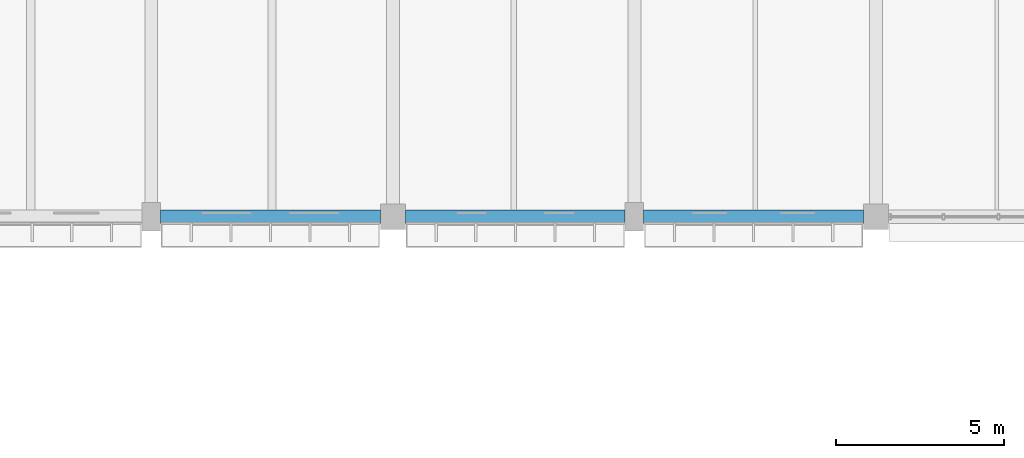
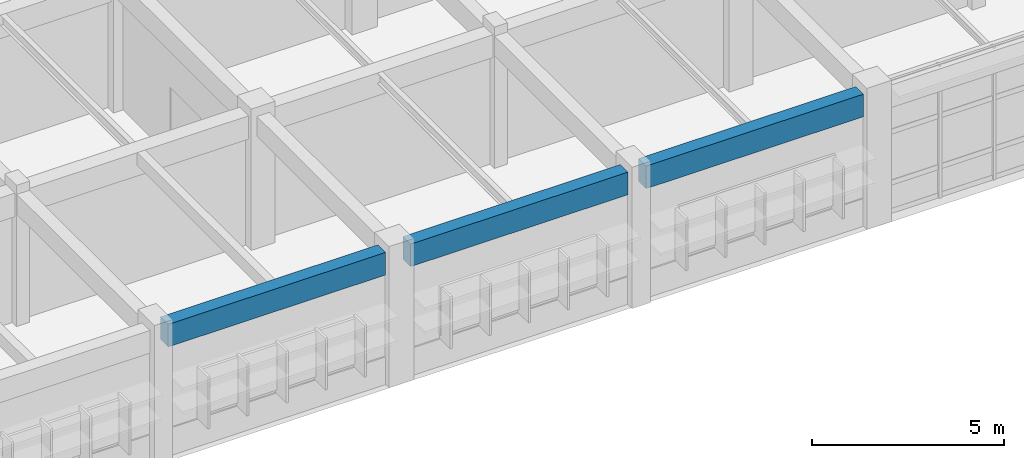
# One storey, part 75 of 171: 3 beams.
"""IFC4 building model written with IfcOpenShell, lengths in metres."""

import ifcopenshell
import ifcopenshell.guid

model = None  # the IFC model being written
_history = None  # IfcOwnerHistory: only IFC2X3 demands one
_inside = {}  # id of a spatial element -> (the spatial element, [elements in it])
_under = {}  # id of a project, library or spatial element -> (it, [spatial elements below it])
_declared = {}  # id of a project -> (the project, [libraries it declares])
_typed = {}  # id of a type object -> (the type object, [elements of that type])
_made_of = {}  # id of a material, layer set ... -> (it, [elements and type objects made of it])


def new_model(schema):
    """Start an empty IFC model of exactly this schema.

    Asked for "IFC4X3", IfcOpenShell would pick the latest addendum, in which some entities
    have other attributes; the version numbers below select the first issue.
    IFC2X3 requires an IfcOwnerHistory on every rooted entity: one is made here for all.
    """
    global model, _history
    if schema == "IFC4X3":
        model = ifcopenshell.file(schema_version=(4, 3, 0, 0))
    else:
        model = ifcopenshell.file(schema=schema)
    _inside.clear()
    _under.clear()
    _declared.clear()
    _typed.clear()
    _made_of.clear()
    _history = None
    if model.schema == "IFC2X3":
        org = make("IfcOrganization", Name="unknown")
        user = make(
            "IfcPersonAndOrganization",
            ThePerson=make("IfcPerson", FamilyName="unknown"),
            TheOrganization=org,
        )
        app = make(
            "IfcApplication",
            ApplicationDeveloper=org,
            Version="unknown",
            ApplicationFullName="unknown",
            ApplicationIdentifier="unknown",
        )
        _history = make(
            "IfcOwnerHistory",
            OwningUser=user,
            OwningApplication=app,
            ChangeAction="ADDED",
            CreationDate=0,
        )
    return model


def make(cls, **values):
    """One entity of the class cls with the attributes given. An attribute that is None is left unset."""
    return model.create_entity(
        cls, **{name: value for name, value in values.items() if value is not None}
    )


def rooted(cls, **values):
    """An entity with a GlobalId (a new one), such as an element, a storey or a relation."""
    return make(cls, GlobalId=ifcopenshell.guid.new(), OwnerHistory=_history, **values)


def si_unit(unit_type, name, prefix=None):
    """IfcSIUnit, for example si_unit("LENGTHUNIT", "METRE", prefix="MILLI")."""
    return make("IfcSIUnit", UnitType=unit_type, Prefix=prefix, Name=name)


def assignment(units):
    """IfcUnitAssignment: the units of a project."""
    return None if units is None else make("IfcUnitAssignment", Units=units)


def point(xyz):
    """IfcCartesianPoint."""
    return None if xyz is None else make("IfcCartesianPoint", Coordinates=xyz)


def direction(xyz):
    """IfcDirection."""
    return None if xyz is None else make("IfcDirection", DirectionRatios=xyz)


def frame(location, z_axis=None, x_axis=None):
    """IfcAxis2Placement3D, a coordinate frame: its origin and axes. An axis left out is left unset."""
    return make(
        "IfcAxis2Placement3D",
        Location=point(location),
        Axis=direction(z_axis),
        RefDirection=direction(x_axis),
    )


def frame_2d(location, x_axis=None):
    """IfcAxis2Placement2D, a coordinate frame in the plane: its origin and x axis."""
    return make(
        "IfcAxis2Placement2D", Location=point(location), RefDirection=direction(x_axis)
    )


def origin():
    """The frame at (0, 0, 0) with its axes left unset."""
    return frame((0.0, 0.0, 0.0))


def origin_2d():
    """The frame at (0, 0) in the plane with its x axis left unset."""
    return frame_2d((0.0, 0.0))


def place(relative_to, where):
    """IfcLocalPlacement: puts the frame where relative to a parent placement (None: the world)."""
    return make(
        "IfcLocalPlacement", PlacementRelTo=relative_to, RelativePlacement=where
    )


def context(
    kind, dimensions, precision=None, world=None, true_north=None, identifier=None
):
    """IfcGeometricRepresentationContext, for example the 3D "Model" context."""
    return make(
        "IfcGeometricRepresentationContext",
        ContextIdentifier=identifier,
        ContextType=kind,
        CoordinateSpaceDimension=dimensions,
        Precision=precision,
        WorldCoordinateSystem=world,
        TrueNorth=true_north,
    )


def subcontext(parent, identifier, kind, view, scale=None):
    """IfcGeometricRepresentationSubContext, for example "Body" below "Model"."""
    return make(
        "IfcGeometricRepresentationSubContext",
        ContextIdentifier=identifier,
        ContextType=kind,
        ParentContext=parent,
        TargetScale=scale,
        TargetView=view,
    )


def project(units=None, contexts=None):
    """IfcProject with its units and contexts."""
    return rooted(
        "IfcProject",
        Name="project",
        RepresentationContexts=contexts,
        UnitsInContext=assignment(units),
    )


def spatial(cls, under=None, at=None, **own):
    """A site, building, storey or space (cls), placed at a placement, below another one or the project."""
    s = rooted(cls, ObjectPlacement=at, **own)
    if under is not None:
        _under.setdefault(under.id(), (under, []))[1].append(s)
    return s


def profile(cls, at=None, kind="AREA", **sizes):
    """A parametric profile (cls). Its sizes go by their IFC names, for example OverallWidth=200.0."""
    return make(cls, ProfileType=kind, Position=at, **sizes)


def rectangle(**sizes):
    """IfcRectangleProfileDef."""
    return profile("IfcRectangleProfileDef", **sizes)


def extrude(swept, where, along, depth):
    """IfcExtrudedAreaSolid: the profile swept, set in the frame where, extruded along a direction by depth."""
    return make(
        "IfcExtrudedAreaSolid",
        SweptArea=swept,
        Position=where,
        ExtrudedDirection=direction(along),
        Depth=depth,
    )


def shape(context_of_items, identifier, shape_type, items):
    """IfcShapeRepresentation: the items that make up one representation, for example the "Body"."""
    return make(
        "IfcShapeRepresentation",
        ContextOfItems=context_of_items,
        RepresentationIdentifier=identifier,
        RepresentationType=shape_type,
        Items=items,
    )


def material(Name=None, Category=None):
    """IfcMaterial."""
    return make("IfcMaterial", Name=Name, Category=Category)


def material_profile(
    of_material, cross_section, Name=None, Category=None, Priority=None
):
    """IfcMaterialProfile: a cross section and its material."""
    return make(
        "IfcMaterialProfile",
        Name=Name,
        Material=of_material,
        Profile=cross_section,
        Priority=Priority,
        Category=Category,
    )


def profile_set(profiles, Name=None, composite=None):
    """IfcMaterialProfileSet."""
    return make(
        "IfcMaterialProfileSet",
        Name=Name,
        MaterialProfiles=profiles,
        CompositeProfile=composite,
    )


def made_of(thing, what):
    """Note that an element or type object is made of a material, layer set ...; save() writes the relation."""
    if what is not None:
        _made_of.setdefault(what.id(), (what, []))[1].append(thing)
    return thing


def type_object(cls, material=None, **own):
    """A type object (cls), such as IfcWallType, which elements share."""
    return made_of(rooted(cls, **own), material)


def element(
    cls,
    number,
    at=None,
    inside=None,
    cuts=None,
    type_object=None,
    material=None,
    context=None,
    identifier="Body",
    shape_type=None,
    held_by="IfcProductDefinitionShape",
    body=None,
    shapes=None,
    **own,
):
    """One element of the class cls, such as IfcWall. Its Tag is "e" and its number.

    at: its placement. inside: the storey or other place that contains it. cuts: it is an
    opening in that element (IfcRelVoidsElement). A single representation is given by context,
    identifier, shape_type and body (its items); several are given by shapes. held_by: the class
    of the entity that holds the representations. save() writes the other relations.
    """
    e = rooted(cls, Tag="e%d" % number, ObjectPlacement=at, **own)
    if body is not None:
        shapes = [shape(context, identifier, shape_type, body)]
    if shapes is not None:
        e.Representation = make(held_by, Representations=shapes)
    if inside is not None:
        _inside.setdefault(inside.id(), (inside, []))[1].append(e)
    if cuts is not None:
        rooted(
            "IfcRelVoidsElement", RelatingBuildingElement=cuts, RelatedOpeningElement=e
        )
    if type_object is not None:
        _typed.setdefault(type_object.id(), (type_object, []))[1].append(e)
    return made_of(e, material)


def aggregate(whole, parts):
    """IfcRelAggregates: a whole, such as a stair, and the parts it consists of."""
    return rooted("IfcRelAggregates", RelatingObject=whole, RelatedObjects=parts)


def save(model, path):
    """Write the relations noted so far, then the file.

    IfcRelAggregates (storeys below a building ...), IfcRelContainedInSpatialStructure (elements
    in a storey), IfcRelDefinesByType, IfcRelAssociatesMaterial and IfcRelDeclares: one each for
    every whole, place, type object, material and project.
    """
    for whole, parts in _under.values():
        aggregate(whole, parts)
    for where, things in _inside.values():
        rooted(
            "IfcRelContainedInSpatialStructure",
            RelatedElements=things,
            RelatingStructure=where,
        )
    for kind, things in _typed.values():
        rooted("IfcRelDefinesByType", RelatedObjects=things, RelatingType=kind)
    for what, things in _made_of.values():
        rooted("IfcRelAssociatesMaterial", RelatedObjects=things, RelatingMaterial=what)
    for by, libraries in _declared.values():
        rooted("IfcRelDeclares", RelatingContext=by, RelatedDefinitions=libraries)
    model.write(path)


model = new_model("IFC4")

# Units and contexts
model_context = context("Model", 3, precision=1e-05, world=origin(), true_north=direction((0.0, 1.0)))
body_context = subcontext(model_context, "Body", "Model", "MODEL_VIEW")
ifc_project = project(units=[si_unit("LENGTHUNIT", "METRE"), si_unit("AREAUNIT", "SQUARE_METRE"), si_unit("VOLUMEUNIT", "CUBIC_METRE"), si_unit("PLANEANGLEUNIT", "RADIAN"), si_unit("MASSUNIT", "GRAM", prefix="KILO")], contexts=[model_context])

# Site, building, storey
site_placement = place(None, origin())
site = spatial("IfcSite", under=ifc_project, at=site_placement, CompositionType="ELEMENT")
building_placement = place(site_placement, origin())
building = spatial("IfcBuilding", under=site, at=building_placement, Name="Thalmaran Polytechnic", CompositionType="ELEMENT")
storey_placement = place(building_placement, frame((0.0, 0.0, 5.39990234375)))
storey = spatial("IfcBuildingStorey", under=building, at=storey_placement, Name="L01", CompositionType="ELEMENT", Elevation=5.39990234375)

# Beams
ifc_material = material(Name="Concrete C40/50", Category="concrete")
ifc_material_profile = material_profile(ifc_material, rectangle(XDim=0.39990234375, YDim=0.719970703125, at=origin_2d()), Name="RC 400x720")
ifc_profile_set = profile_set([ifc_material_profile], Name="Concrete C40/50")
beam_type = type_object("IfcBeamType", Name="BM-SP01", PredefinedType="SPANDREL", material=ifc_profile_set)
beam_placement = place(storey_placement, frame((79.47509765625, 93.60009765625, 3.85009765625), z_axis=(1.0, 0.0, 0.0), x_axis=(0.0, 1.0, 0.0)))
element("IfcBeam", 1, at=beam_placement, inside=storey, type_object=beam_type, Name="Grid Beam SP01 L01 X(11,13)", PredefinedType="SPANDREL", context=body_context, shape_type="SweptSolid", body=[
    extrude(rectangle(XDim=0.39990234375, YDim=0.719970703125, at=origin_2d()), origin(), (0.0, 0.0, 1.0), 6.5498046875),
])
for number, where, z_axis, x_axis, name in (
    (2, (86.77490234375, 93.60009765625, 3.85009765625), (1.0, 0.0, 0.0), (0.0, 1.0, 0.0), "Grid Beam SP01 L01 X(12,13)"),
    (3, (93.875, 93.60009765625, 3.85009765625), (1.0, 0.0, 0.0), (0.0, 1.0, 0.0), "Grid Beam SP01 L01 X(13,13)"),
):
    element("IfcBeam", number, at=place(storey_placement, frame(where, z_axis=z_axis, x_axis=x_axis)), inside=storey, type_object=beam_type, Name=name, PredefinedType="SPANDREL", context=body_context, shape_type="SweptSolid", body=[
        extrude(rectangle(XDim=0.39990234375, YDim=0.719970703125, at=origin_2d()), origin(), (0.0, 0.0, 1.0), 6.550048828125),
    ])

save(model, "model.ifc")
